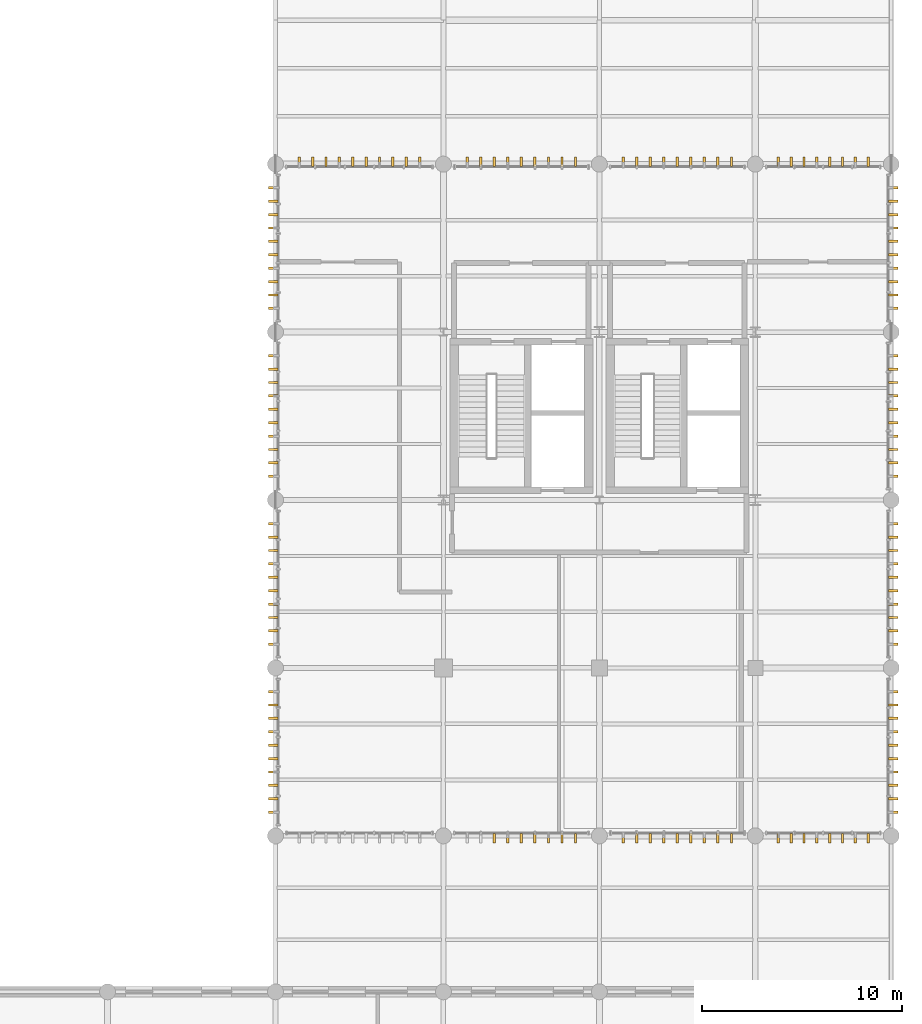
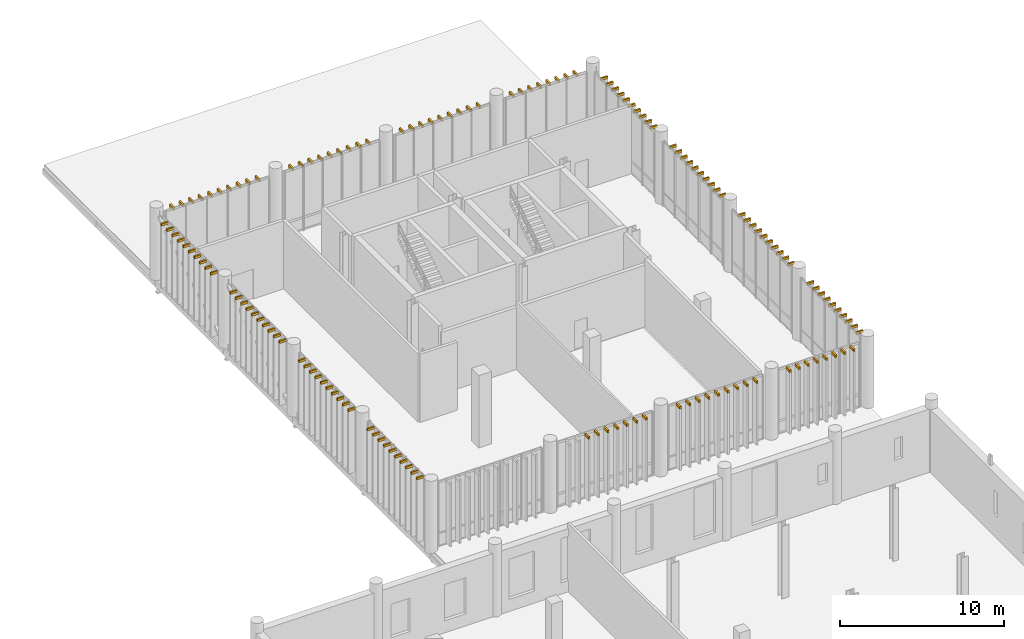
# One storey, part 128 of 128: 140 shading devices.
"""IFC4 building model written with IfcOpenShell, lengths in metres."""

from ifc_helpers import new_model, si_unit, direction, frame, origin_with_axes, origin_2d_with_axis, place, context, subcontext, project, spatial, rectangle, extrude, material, type_object, element, save


model = new_model("IFC4")

# Units and contexts
model_context = context("Model", 3, precision=1e-05, world=origin_with_axes(), true_north=direction((0.0, 1.0)))
body_context = subcontext(model_context, "Body", "Model", "MODEL_VIEW")
ifc_project = project(units=[si_unit("LENGTHUNIT", "METRE"), si_unit("AREAUNIT", "SQUARE_METRE"), si_unit("VOLUMEUNIT", "CUBIC_METRE"), si_unit("PLANEANGLEUNIT", "RADIAN"), si_unit("MASSUNIT", "GRAM", prefix="KILO"), si_unit("THERMODYNAMICTEMPERATUREUNIT", "KELVIN")], contexts=[model_context])

# Site, building, storey
site_placement = place(None, origin_with_axes())
site = spatial("IfcSite", under=ifc_project, at=site_placement, CompositionType="ELEMENT")
building_placement = place(site_placement, origin_with_axes())
building = spatial("IfcBuilding", under=site, at=building_placement, Name="Montbau Bow Law Courts", CompositionType="ELEMENT")
storey_placement = place(building_placement, frame((0.0, 0.0, 5.4), z_axis=(0.0, 0.0, 1.0), x_axis=(1.0, 0.0, 0.0)))
storey = spatial("IfcBuildingStorey", under=building, at=storey_placement, Name="L01", CompositionType="ELEMENT", Elevation=5.4)

# Shading devices
ifc_material = material(Name="Freeze-Thaw Glazed Slate-Grey Ceramic Vertical Louvre", Category="masonry")
shading_device_type = type_object("IfcShadingDeviceType", Name="SH-LVR-SLT", PredefinedType="USERDEFINED", material=ifc_material)
for number, where, z_axis, x_axis, name in (
    (1, (149.546, 69.49, 10.04), (0.0, 0.0, 1.0), (0.0, -1.0, 0.0), "LVR-L01-2458:shd_2458"),
    (2, (150.223, 69.49, 10.04), (0.0, 0.0, 1.0), (0.0, -1.0, 0.0), "LVR-L01-2459:shd_2459"),
    (3, (150.9, 69.49, 10.04), (0.0, 0.0, 1.0), (0.0, -1.0, 0.0), "LVR-L01-2460:shd_2460"),
    (4, (151.577, 69.49, 10.04), (0.0, 0.0, 1.0), (0.0, -1.0, 0.0), "LVR-L01-2461:shd_2461"),
    (5, (152.254, 69.49, 10.04), (0.0, 0.0, 1.0), (0.0, -1.0, 0.0), "LVR-L01-2462:shd_2462"),
    (6, (152.931, 69.49, 10.04), (0.0, 0.0, 1.0), (0.0, -1.0, 0.0), "LVR-L01-2463:shd_2463"),
    (7, (153.608, 69.49, 10.04), (0.0, 0.0, 1.0), (0.0, -1.0, 0.0), "LVR-L01-2464:shd_2464"),
    (8, (155.992, 69.49, 10.04), (0.0, 0.0, 1.0), (0.0, -1.0, 0.0), "LVR-L01-2465:shd_2465"),
    (9, (156.669, 69.49, 10.04), (0.0, 0.0, 1.0), (0.0, -1.0, 0.0), "LVR-L01-2466:shd_2466"),
    (10, (157.346, 69.49, 10.04), (0.0, 0.0, 1.0), (0.0, -1.0, 0.0), "LVR-L01-2467:shd_2467"),
    (11, (158.023, 69.49, 10.04), (0.0, 0.0, 1.0), (0.0, -1.0, 0.0), "LVR-L01-2468:shd_2468"),
    (12, (158.7, 69.49, 10.04), (0.0, 0.0, 1.0), (0.0, -1.0, 0.0), "LVR-L01-2469:shd_2469"),
    (13, (159.377, 69.49, 10.04), (0.0, 0.0, 1.0), (0.0, -1.0, 0.0), "LVR-L01-2470:shd_2470"),
    (14, (160.054, 69.49, 10.04), (0.0, 0.0, 1.0), (0.0, -1.0, 0.0), "LVR-L01-2471:shd_2471"),
    (15, (160.731, 69.49, 10.04), (0.0, 0.0, 1.0), (0.0, -1.0, 0.0), "LVR-L01-2472:shd_2472"),
    (16, (161.408, 69.49, 10.04), (0.0, 0.0, 1.0), (0.0, -1.0, 0.0), "LVR-L01-2473:shd_2473"),
    (17, (163.756, 69.49, 10.04), (0.0, 0.0, 1.0), (0.0, -1.0, 0.0), "LVR-L01-2474:shd_2474"),
    (18, (164.397, 69.49, 10.04), (0.0, 0.0, 1.0), (0.0, -1.0, 0.0), "LVR-L01-2475:shd_2475"),
    (19, (165.038, 69.49, 10.04), (0.0, 0.0, 1.0), (0.0, -1.0, 0.0), "LVR-L01-2476:shd_2476"),
    (20, (165.679, 69.49, 10.04), (0.0, 0.0, 1.0), (0.0, -1.0, 0.0), "LVR-L01-2477:shd_2477"),
    (21, (166.321, 69.49, 10.04), (0.0, 0.0, 1.0), (0.0, -1.0, 0.0), "LVR-L01-2478:shd_2478"),
    (22, (166.962, 69.49, 10.04), (0.0, 0.0, 1.0), (0.0, -1.0, 0.0), "LVR-L01-2479:shd_2479"),
    (23, (167.603, 69.49, 10.04), (0.0, 0.0, 1.0), (0.0, -1.0, 0.0), "LVR-L01-2480:shd_2480"),
    (24, (168.244, 69.49, 10.04), (0.0, 0.0, 1.0), (0.0, -1.0, 0.0), "LVR-L01-2481:shd_2481"),
    (25, (139.785, 103.31, 10.04), (0.0, 0.0, 1.0), (0.0, 1.0, 0.0), "LVR-L01-2482:shd_2482"),
    (26, (140.455, 103.31, 10.04), (0.0, 0.0, 1.0), (0.0, 1.0, 0.0), "LVR-L01-2483:shd_2483"),
    (27, (141.125, 103.31, 10.04), (0.0, 0.0, 1.0), (0.0, 1.0, 0.0), "LVR-L01-2484:shd_2484"),
    (28, (141.795, 103.31, 10.04), (0.0, 0.0, 1.0), (0.0, 1.0, 0.0), "LVR-L01-2485:shd_2485"),
    (29, (142.465, 103.31, 10.04), (0.0, 0.0, 1.0), (0.0, 1.0, 0.0), "LVR-L01-2486:shd_2486"),
    (30, (143.135, 103.31, 10.04), (0.0, 0.0, 1.0), (0.0, 1.0, 0.0), "LVR-L01-2487:shd_2487"),
    (31, (143.805, 103.31, 10.04), (0.0, 0.0, 1.0), (0.0, 1.0, 0.0), "LVR-L01-2488:shd_2488"),
    (32, (144.475, 103.31, 10.04), (0.0, 0.0, 1.0), (0.0, 1.0, 0.0), "LVR-L01-2489:shd_2489"),
    (33, (145.145, 103.31, 10.04), (0.0, 0.0, 1.0), (0.0, 1.0, 0.0), "LVR-L01-2490:shd_2490"),
    (34, (145.815, 103.31, 10.04), (0.0, 0.0, 1.0), (0.0, 1.0, 0.0), "LVR-L01-2491:shd_2491"),
    (35, (148.192, 103.31, 10.04), (0.0, 0.0, 1.0), (0.0, 1.0, 0.0), "LVR-L01-2492:shd_2492"),
    (36, (148.869, 103.31, 10.04), (0.0, 0.0, 1.0), (0.0, 1.0, 0.0), "LVR-L01-2493:shd_2493"),
    (37, (149.546, 103.31, 10.04), (0.0, 0.0, 1.0), (0.0, 1.0, 0.0), "LVR-L01-2494:shd_2494"),
    (38, (150.223, 103.31, 10.04), (0.0, 0.0, 1.0), (0.0, 1.0, 0.0), "LVR-L01-2495:shd_2495"),
    (39, (150.9, 103.31, 10.04), (0.0, 0.0, 1.0), (0.0, 1.0, 0.0), "LVR-L01-2496:shd_2496"),
    (40, (151.577, 103.31, 10.04), (0.0, 0.0, 1.0), (0.0, 1.0, 0.0), "LVR-L01-2497:shd_2497"),
    (41, (152.254, 103.31, 10.04), (0.0, 0.0, 1.0), (0.0, 1.0, 0.0), "LVR-L01-2498:shd_2498"),
    (42, (152.931, 103.31, 10.04), (0.0, 0.0, 1.0), (0.0, 1.0, 0.0), "LVR-L01-2499:shd_2499"),
    (43, (153.608, 103.31, 10.04), (0.0, 0.0, 1.0), (0.0, 1.0, 0.0), "LVR-L01-2500:shd_2500"),
    (44, (155.992, 103.31, 10.04), (0.0, 0.0, 1.0), (0.0, 1.0, 0.0), "LVR-L01-2501:shd_2501"),
    (45, (156.669, 103.31, 10.04), (0.0, 0.0, 1.0), (0.0, 1.0, 0.0), "LVR-L01-2502:shd_2502"),
    (46, (157.346, 103.31, 10.04), (0.0, 0.0, 1.0), (0.0, 1.0, 0.0), "LVR-L01-2503:shd_2503"),
    (47, (158.023, 103.31, 10.04), (0.0, 0.0, 1.0), (0.0, 1.0, 0.0), "LVR-L01-2504:shd_2504"),
    (48, (158.7, 103.31, 10.04), (0.0, 0.0, 1.0), (0.0, 1.0, 0.0), "LVR-L01-2505:shd_2505"),
    (49, (159.377, 103.31, 10.04), (0.0, 0.0, 1.0), (0.0, 1.0, 0.0), "LVR-L01-2506:shd_2506"),
    (50, (160.054, 103.31, 10.04), (0.0, 0.0, 1.0), (0.0, 1.0, 0.0), "LVR-L01-2507:shd_2507"),
    (51, (160.731, 103.31, 10.04), (0.0, 0.0, 1.0), (0.0, 1.0, 0.0), "LVR-L01-2508:shd_2508"),
    (52, (161.408, 103.31, 10.04), (0.0, 0.0, 1.0), (0.0, 1.0, 0.0), "LVR-L01-2509:shd_2509"),
    (53, (163.756, 103.31, 10.04), (0.0, 0.0, 1.0), (0.0, 1.0, 0.0), "LVR-L01-2510:shd_2510"),
    (54, (164.397, 103.31, 10.04), (0.0, 0.0, 1.0), (0.0, 1.0, 0.0), "LVR-L01-2511:shd_2511"),
    (55, (165.038, 103.31, 10.04), (0.0, 0.0, 1.0), (0.0, 1.0, 0.0), "LVR-L01-2512:shd_2512"),
    (56, (165.679, 103.31, 10.04), (0.0, 0.0, 1.0), (0.0, 1.0, 0.0), "LVR-L01-2513:shd_2513"),
    (57, (166.321, 103.31, 10.04), (0.0, 0.0, 1.0), (0.0, 1.0, 0.0), "LVR-L01-2514:shd_2514"),
    (58, (166.962, 103.31, 10.04), (0.0, 0.0, 1.0), (0.0, 1.0, 0.0), "LVR-L01-2515:shd_2515"),
    (59, (167.603, 103.31, 10.04), (0.0, 0.0, 1.0), (0.0, 1.0, 0.0), "LVR-L01-2516:shd_2516"),
    (60, (168.244, 103.31, 10.04), (0.0, 0.0, 1.0), (0.0, 1.0, 0.0), "LVR-L01-2517:shd_2517"),
    (61, (138.49, 70.785, 10.04), (0.0, 0.0, 1.0), (-1.0, 0.0, 0.0), "LVR-L01-2518:shd_2518"),
    (62, (138.49, 71.455, 10.04), (0.0, 0.0, 1.0), (-1.0, 0.0, 0.0), "LVR-L01-2519:shd_2519"),
    (63, (138.49, 72.125, 10.04), (0.0, 0.0, 1.0), (-1.0, 0.0, 0.0), "LVR-L01-2520:shd_2520"),
    (64, (138.49, 72.795, 10.04), (0.0, 0.0, 1.0), (-1.0, 0.0, 0.0), "LVR-L01-2521:shd_2521"),
    (65, (138.49, 73.465, 10.04), (0.0, 0.0, 1.0), (-1.0, 0.0, 0.0), "LVR-L01-2522:shd_2522"),
    (66, (138.49, 74.135, 10.04), (0.0, 0.0, 1.0), (-1.0, 0.0, 0.0), "LVR-L01-2523:shd_2523"),
    (67, (138.49, 74.805, 10.04), (0.0, 0.0, 1.0), (-1.0, 0.0, 0.0), "LVR-L01-2524:shd_2524"),
    (68, (138.49, 75.475, 10.04), (0.0, 0.0, 1.0), (-1.0, 0.0, 0.0), "LVR-L01-2525:shd_2525"),
    (69, (138.49, 76.145, 10.04), (0.0, 0.0, 1.0), (-1.0, 0.0, 0.0), "LVR-L01-2526:shd_2526"),
    (70, (138.49, 76.815, 10.04), (0.0, 0.0, 1.0), (-1.0, 0.0, 0.0), "LVR-L01-2527:shd_2527"),
    (71, (138.49, 79.185, 10.04), (0.0, 0.0, 1.0), (-1.0, 0.0, 0.0), "LVR-L01-2528:shd_2528"),
    (72, (138.49, 79.855, 10.04), (0.0, 0.0, 1.0), (-1.0, 0.0, 0.0), "LVR-L01-2529:shd_2529"),
    (73, (138.49, 80.525, 10.04), (0.0, 0.0, 1.0), (-1.0, 0.0, 0.0), "LVR-L01-2530:shd_2530"),
    (74, (138.49, 81.195, 10.04), (0.0, 0.0, 1.0), (-1.0, 0.0, 0.0), "LVR-L01-2531:shd_2531"),
    (75, (138.49, 81.865, 10.04), (0.0, 0.0, 1.0), (-1.0, 0.0, 0.0), "LVR-L01-2532:shd_2532"),
    (76, (138.49, 82.535, 10.04), (0.0, 0.0, 1.0), (-1.0, 0.0, 0.0), "LVR-L01-2533:shd_2533"),
    (77, (138.49, 83.205, 10.04), (0.0, 0.0, 1.0), (-1.0, 0.0, 0.0), "LVR-L01-2534:shd_2534"),
    (78, (138.49, 83.875, 10.04), (0.0, 0.0, 1.0), (-1.0, 0.0, 0.0), "LVR-L01-2535:shd_2535"),
    (79, (138.49, 84.545, 10.04), (0.0, 0.0, 1.0), (-1.0, 0.0, 0.0), "LVR-L01-2536:shd_2536"),
    (80, (138.49, 85.215, 10.04), (0.0, 0.0, 1.0), (-1.0, 0.0, 0.0), "LVR-L01-2537:shd_2537"),
    (81, (138.49, 87.585, 10.04), (0.0, 0.0, 1.0), (-1.0, 0.0, 0.0), "LVR-L01-2538:shd_2538"),
    (82, (138.49, 88.255, 10.04), (0.0, 0.0, 1.0), (-1.0, 0.0, 0.0), "LVR-L01-2539:shd_2539"),
    (83, (138.49, 88.925, 10.04), (0.0, 0.0, 1.0), (-1.0, 0.0, 0.0), "LVR-L01-2540:shd_2540"),
    (84, (138.49, 89.595, 10.04), (0.0, 0.0, 1.0), (-1.0, 0.0, 0.0), "LVR-L01-2541:shd_2541"),
    (85, (138.49, 90.265, 10.04), (0.0, 0.0, 1.0), (-1.0, 0.0, 0.0), "LVR-L01-2542:shd_2542"),
    (86, (138.49, 90.935, 10.04), (0.0, 0.0, 1.0), (-1.0, 0.0, 0.0), "LVR-L01-2543:shd_2543"),
    (87, (138.49, 91.605, 10.04), (0.0, 0.0, 1.0), (-1.0, 0.0, 0.0), "LVR-L01-2544:shd_2544"),
    (88, (138.49, 92.275, 10.04), (0.0, 0.0, 1.0), (-1.0, 0.0, 0.0), "LVR-L01-2545:shd_2545"),
    (89, (138.49, 92.945, 10.04), (0.0, 0.0, 1.0), (-1.0, 0.0, 0.0), "LVR-L01-2546:shd_2546"),
    (90, (138.49, 93.615, 10.04), (0.0, 0.0, 1.0), (-1.0, 0.0, 0.0), "LVR-L01-2547:shd_2547"),
    (91, (138.49, 95.985, 10.04), (0.0, 0.0, 1.0), (-1.0, 0.0, 0.0), "LVR-L01-2548:shd_2548"),
    (92, (138.49, 96.655, 10.04), (0.0, 0.0, 1.0), (-1.0, 0.0, 0.0), "LVR-L01-2549:shd_2549"),
    (93, (138.49, 97.325, 10.04), (0.0, 0.0, 1.0), (-1.0, 0.0, 0.0), "LVR-L01-2550:shd_2550"),
    (94, (138.49, 97.995, 10.04), (0.0, 0.0, 1.0), (-1.0, 0.0, 0.0), "LVR-L01-2551:shd_2551"),
    (95, (138.49, 98.665, 10.04), (0.0, 0.0, 1.0), (-1.0, 0.0, 0.0), "LVR-L01-2552:shd_2552"),
    (96, (138.49, 99.335, 10.04), (0.0, 0.0, 1.0), (-1.0, 0.0, 0.0), "LVR-L01-2553:shd_2553"),
    (97, (138.49, 100.005, 10.04), (0.0, 0.0, 1.0), (-1.0, 0.0, 0.0), "LVR-L01-2554:shd_2554"),
    (98, (138.49, 100.675, 10.04), (0.0, 0.0, 1.0), (-1.0, 0.0, 0.0), "LVR-L01-2555:shd_2555"),
    (99, (138.49, 101.345, 10.04), (0.0, 0.0, 1.0), (-1.0, 0.0, 0.0), "LVR-L01-2556:shd_2556"),
    (100, (138.49, 102.015, 10.04), (0.0, 0.0, 1.0), (-1.0, 0.0, 0.0), "LVR-L01-2557:shd_2557"),
    (101, (169.51, 70.785, 10.04), (0.0, 0.0, 1.0), (1.0, 0.0, 0.0), "LVR-L01-2558:shd_2558"),
    (102, (169.51, 71.455, 10.04), (0.0, 0.0, 1.0), (1.0, 0.0, 0.0), "LVR-L01-2559:shd_2559"),
    (103, (169.51, 72.125, 10.04), (0.0, 0.0, 1.0), (1.0, 0.0, 0.0), "LVR-L01-2560:shd_2560"),
    (104, (169.51, 72.795, 10.04), (0.0, 0.0, 1.0), (1.0, 0.0, 0.0), "LVR-L01-2561:shd_2561"),
    (105, (169.51, 73.465, 10.04), (0.0, 0.0, 1.0), (1.0, 0.0, 0.0), "LVR-L01-2562:shd_2562"),
    (106, (169.51, 74.135, 10.04), (0.0, 0.0, 1.0), (1.0, 0.0, 0.0), "LVR-L01-2563:shd_2563"),
    (107, (169.51, 74.805, 10.04), (0.0, 0.0, 1.0), (1.0, 0.0, 0.0), "LVR-L01-2564:shd_2564"),
    (108, (169.51, 75.475, 10.04), (0.0, 0.0, 1.0), (1.0, 0.0, 0.0), "LVR-L01-2565:shd_2565"),
    (109, (169.51, 76.145, 10.04), (0.0, 0.0, 1.0), (1.0, 0.0, 0.0), "LVR-L01-2566:shd_2566"),
    (110, (169.51, 76.815, 10.04), (0.0, 0.0, 1.0), (1.0, 0.0, 0.0), "LVR-L01-2567:shd_2567"),
    (111, (169.51, 79.185, 10.04), (0.0, 0.0, 1.0), (1.0, 0.0, 0.0), "LVR-L01-2568:shd_2568"),
    (112, (169.51, 79.855, 10.04), (0.0, 0.0, 1.0), (1.0, 0.0, 0.0), "LVR-L01-2569:shd_2569"),
    (113, (169.51, 80.525, 10.04), (0.0, 0.0, 1.0), (1.0, 0.0, 0.0), "LVR-L01-2570:shd_2570"),
    (114, (169.51, 81.195, 10.04), (0.0, 0.0, 1.0), (1.0, 0.0, 0.0), "LVR-L01-2571:shd_2571"),
    (115, (169.51, 81.865, 10.04), (0.0, 0.0, 1.0), (1.0, 0.0, 0.0), "LVR-L01-2572:shd_2572"),
    (116, (169.51, 82.535, 10.04), (0.0, 0.0, 1.0), (1.0, 0.0, 0.0), "LVR-L01-2573:shd_2573"),
    (117, (169.51, 83.205, 10.04), (0.0, 0.0, 1.0), (1.0, 0.0, 0.0), "LVR-L01-2574:shd_2574"),
    (118, (169.51, 83.875, 10.04), (0.0, 0.0, 1.0), (1.0, 0.0, 0.0), "LVR-L01-2575:shd_2575"),
    (119, (169.51, 84.545, 10.04), (0.0, 0.0, 1.0), (1.0, 0.0, 0.0), "LVR-L01-2576:shd_2576"),
    (120, (169.51, 85.215, 10.04), (0.0, 0.0, 1.0), (1.0, 0.0, 0.0), "LVR-L01-2577:shd_2577"),
    (121, (169.51, 87.585, 10.04), (0.0, 0.0, 1.0), (1.0, 0.0, 0.0), "LVR-L01-2578:shd_2578"),
    (122, (169.51, 88.255, 10.04), (0.0, 0.0, 1.0), (1.0, 0.0, 0.0), "LVR-L01-2579:shd_2579"),
    (123, (169.51, 88.925, 10.04), (0.0, 0.0, 1.0), (1.0, 0.0, 0.0), "LVR-L01-2580:shd_2580"),
    (124, (169.51, 89.595, 10.04), (0.0, 0.0, 1.0), (1.0, 0.0, 0.0), "LVR-L01-2581:shd_2581"),
    (125, (169.51, 90.265, 10.04), (0.0, 0.0, 1.0), (1.0, 0.0, 0.0), "LVR-L01-2582:shd_2582"),
    (126, (169.51, 90.935, 10.04), (0.0, 0.0, 1.0), (1.0, 0.0, 0.0), "LVR-L01-2583:shd_2583"),
    (127, (169.51, 91.605, 10.04), (0.0, 0.0, 1.0), (1.0, 0.0, 0.0), "LVR-L01-2584:shd_2584"),
    (128, (169.51, 92.275, 10.04), (0.0, 0.0, 1.0), (1.0, 0.0, 0.0), "LVR-L01-2585:shd_2585"),
    (129, (169.51, 92.945, 10.04), (0.0, 0.0, 1.0), (1.0, 0.0, 0.0), "LVR-L01-2586:shd_2586"),
    (130, (169.51, 93.615, 10.04), (0.0, 0.0, 1.0), (1.0, 0.0, 0.0), "LVR-L01-2587:shd_2587"),
    (131, (169.51, 95.985, 10.04), (0.0, 0.0, 1.0), (1.0, 0.0, 0.0), "LVR-L01-2588:shd_2588"),
    (132, (169.51, 96.655, 10.04), (0.0, 0.0, 1.0), (1.0, 0.0, 0.0), "LVR-L01-2589:shd_2589"),
    (133, (169.51, 97.325, 10.04), (0.0, 0.0, 1.0), (1.0, 0.0, 0.0), "LVR-L01-2590:shd_2590"),
    (134, (169.51, 97.995, 10.04), (0.0, 0.0, 1.0), (1.0, 0.0, 0.0), "LVR-L01-2591:shd_2591"),
    (135, (169.51, 98.665, 10.04), (0.0, 0.0, 1.0), (1.0, 0.0, 0.0), "LVR-L01-2592:shd_2592"),
    (136, (169.51, 99.335, 10.04), (0.0, 0.0, 1.0), (1.0, 0.0, 0.0), "LVR-L01-2593:shd_2593"),
    (137, (169.51, 100.005, 10.04), (0.0, 0.0, 1.0), (1.0, 0.0, 0.0), "LVR-L01-2594:shd_2594"),
    (138, (169.51, 100.675, 10.04), (0.0, 0.0, 1.0), (1.0, 0.0, 0.0), "LVR-L01-2595:shd_2595"),
    (139, (169.51, 101.345, 10.04), (0.0, 0.0, 1.0), (1.0, 0.0, 0.0), "LVR-L01-2596:shd_2596"),
    (140, (169.51, 102.015, 10.04), (0.0, 0.0, 1.0), (1.0, 0.0, 0.0), "LVR-L01-2597:shd_2597"),
):
    element("IfcShadingDevice", number, at=place(None, frame(where, z_axis=z_axis, x_axis=x_axis)), inside=storey, type_object=shading_device_type, Name=name, ObjectType="LOUVRE", PredefinedType="USERDEFINED", context=body_context, shape_type="SweptSolid", body=[
        extrude(rectangle(XDim=0.48, YDim=0.12, at=origin_2d_with_axis()), origin_with_axes(), (0.0, 0.0, 1.0), 0.18),
    ])

save(model, "model.ifc")
